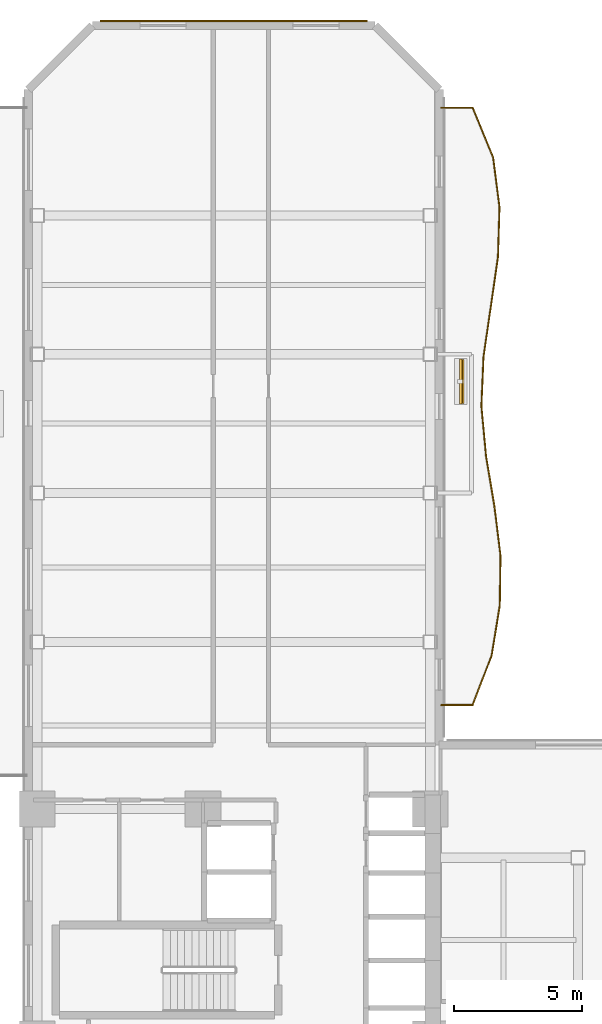
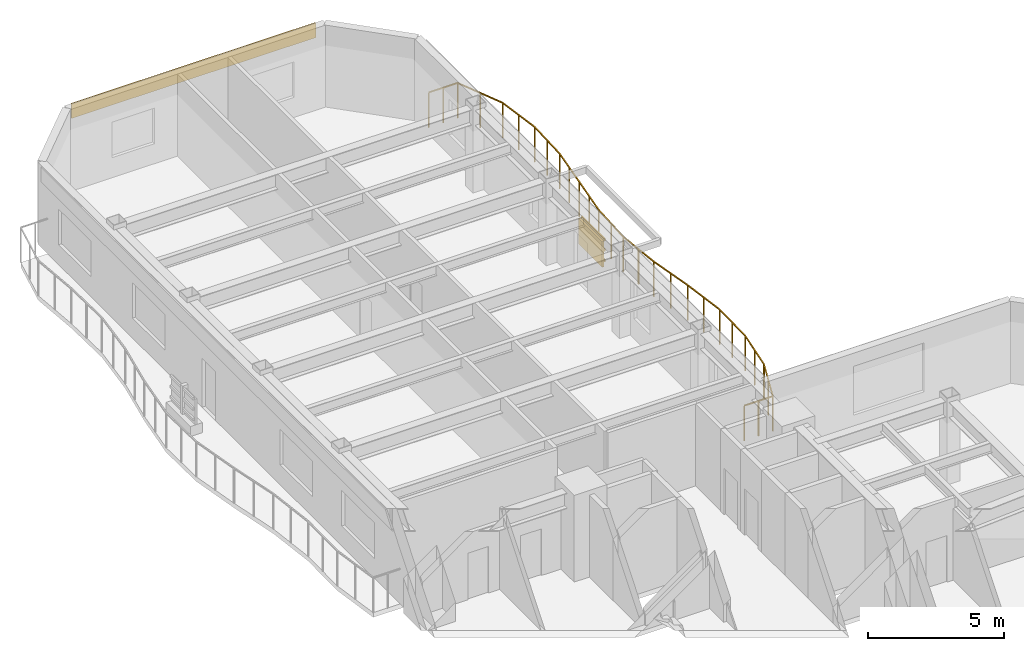
# One storey, part 17 of 17: 4 shading devices, 1 covering, 1 railing.
"""IFC4 building model written with IfcOpenShell, lengths in metres."""

from ifc_helpers import new_model, si_unit, direction, frame, origin, origin_2d, place, context, subcontext, project, spatial, rectangle, extrude, material, layer, layer_set, material_profile, profile_set, type_object, element, save


model = new_model("IFC4")

# Units and contexts
model_context = context("Model", 3, precision=1e-05, world=origin(), true_north=direction((0.0, 1.0)))
body_context = subcontext(model_context, "Body", "Model", "MODEL_VIEW")
ifc_project = project(units=[si_unit("LENGTHUNIT", "METRE"), si_unit("AREAUNIT", "SQUARE_METRE"), si_unit("VOLUMEUNIT", "CUBIC_METRE"), si_unit("PLANEANGLEUNIT", "RADIAN"), si_unit("MASSUNIT", "GRAM", prefix="KILO")], contexts=[model_context])

# Site, building, storey
site_placement = place(None, origin())
site = spatial("IfcSite", under=ifc_project, at=site_placement, CompositionType="ELEMENT")
building_placement = place(site_placement, origin())
building = spatial("IfcBuilding", under=site, at=building_placement, Name="Mawjaban Terraces University", CompositionType="ELEMENT")
storey_placement = place(building_placement, frame((0.0, 0.0, 70.0)))
storey = spatial("IfcBuildingStorey", under=building, at=storey_placement, Name="L16", CompositionType="ELEMENT", Elevation=70.0)

# Railing
ifc_material_1 = material(Name="Galvanised powder-coated steel S355", Category="steel")
railing_type = type_object("IfcRailingType", Name="BalconyBalustrade_1600", PredefinedType="BALUSTRADE", material=ifc_material_1)
railing_placement = place(storey_placement, frame((38.080078125, 27.5419921875, 0.0)))
element("IfcRailing", 1, at=railing_placement, inside=storey, type_object=railing_type, Name="L16 Balcony Guardrail inner_east", PredefinedType="BALUSTRADE", context=body_context, shape_type="SweptSolid", body=[
    extrude(rectangle(XDim=0.048095703125, YDim=0.048095703125, at=origin_2d()), frame((0.0, 0.0, 1.576171875), z_axis=(1.0, 0.0, 0.0), x_axis=(0.0, 1.0, 0.0)), (0.0, 0.0, 1.0), 1.219970703125),
    extrude(rectangle(XDim=0.048095703125, YDim=0.048095703125, at=origin_2d()), frame((1.219970703125, 0.0, 1.576171875), z_axis=(0.357946267504, 0.93374218582, 0.0), x_axis=(-0.93374218582, 0.357946267504, 0.0)), (0.0, 0.0, 1.0), 2.075439453125),
    extrude(rectangle(XDim=0.048095703125, YDim=0.048095703125, at=origin_2d()), frame((1.962890625, 1.93798828125, 1.576171875), z_axis=(0.160889680104, 0.986972396187, 0.0), x_axis=(-0.986972396187, 0.160889680104, 0.0)), (0.0, 0.0, 1.0), 1.963623046875),
    extrude(rectangle(XDim=0.048095703125, YDim=0.048095703125, at=origin_2d()), frame((2.27880859375, 3.8759765625, 1.576171875), z_axis=(0.014485756328, 0.999895075927, 0.0), x_axis=(-0.999895075927, 0.014485756328, 0.0)), (0.0, 0.0, 1.0), 1.938232421875),
    extrude(rectangle(XDim=0.048095703125, YDim=0.048095703125, at=origin_2d()), frame((2.306884765625, 5.81396484375, 1.576171875), z_axis=(-0.121850262148, 0.992548494339, 0.0), x_axis=(-0.992548494339, -0.121850262148, 0.0)), (0.0, 0.0, 1.0), 1.95361328125),
    extrude(rectangle(XDim=0.048095703125, YDim=0.048095703125, at=origin_2d()), frame((2.06884765625, 7.7529296875, 1.576171875), z_axis=(-0.164882543309, 0.986313209337, 0.0), x_axis=(-0.986313209337, -0.164882543309, 0.0)), (0.0, 0.0, 1.0), 1.96484375),
    extrude(rectangle(XDim=0.048095703125, YDim=0.048095703125, at=origin_2d()), frame((1.744873046875, 9.69091796875, 1.576171875), z_axis=(-0.093441728266, 0.995624750304, 0.0), x_axis=(-0.995624750304, -0.093441728266, 0.0)), (0.0, 0.0, 1.0), 1.946533203125),
    extrude(rectangle(XDim=0.048095703125, YDim=0.048095703125, at=origin_2d()), frame((1.56298828125, 11.62890625, 1.576171875), z_axis=(0.042290174408, 0.999105370393, 0.0), x_axis=(-0.999105370393, 0.042290174408, 0.0)), (0.0, 0.0, 1.0), 1.939697265625),
    extrude(rectangle(XDim=0.048095703125, YDim=0.048095703125, at=origin_2d()), frame((1.64501953125, 13.56689453125, 1.576171875), z_axis=(0.144945003945, 0.989439713086, 0.0), x_axis=(-0.989439713086, 0.144945003945, 0.0)), (0.0, 0.0, 1.0), 1.958984375),
    extrude(rectangle(XDim=0.048095703125, YDim=0.048095703125, at=origin_2d()), frame((1.928955078125, 15.505126953125, 1.576171875), z_axis=(0.142450713627, 0.989801896435, 0.0), x_axis=(-0.989801896435, 0.142450713627, 0.0)), (0.0, 0.0, 1.0), 1.958984375),
    extrude(rectangle(XDim=0.048095703125, YDim=0.048095703125, at=origin_2d()), frame((2.2080078125, 17.444091796875, 1.576171875), z_axis=(0.030849507428, 0.999524040677, 0.0), x_axis=(-0.999524040677, 0.030849507428, 0.0)), (0.0, 0.0, 1.0), 1.93896484375),
    extrude(rectangle(XDim=0.048095703125, YDim=0.048095703125, at=origin_2d()), frame((2.267822265625, 19.382080078125, 1.576171875), z_axis=(-0.126833321293, 0.99192404377, 0.0), x_axis=(-0.99192404377, -0.126833321293, 0.0)), (0.0, 0.0, 1.0), 1.953857421875),
    extrude(rectangle(XDim=0.048095703125, YDim=0.048095703125, at=origin_2d()), frame((2.02001953125, 21.320068359375, 1.576171875), z_axis=(-0.381587150517, 0.924332865671, 0.0), x_axis=(-0.924332865671, -0.381587150517, 0.0)), (0.0, 0.0, 1.0), 2.0966796875),
    extrude(rectangle(XDim=0.048095703125, YDim=0.048095703125, at=origin_2d()), frame((1.219970703125, 23.258056640625, 1.576171875), z_axis=(-1.0, 0.0, 0.0), x_axis=(0.0, -1.0, 0.0)), (0.0, 0.0, 1.0), 1.219970703125),
    extrude(rectangle(XDim=0.0419921875, YDim=0.0419921875, at=origin_2d()), origin(), (0.0, 0.0, 1.0), 1.552001953125),
    extrude(rectangle(XDim=0.0419921875, YDim=0.0419921875, at=origin_2d()), frame((0.60986328125, 0.0, 0.0)), (0.0, 0.0, 1.0), 1.552001953125),
    extrude(rectangle(XDim=0.0419921875, YDim=0.0419921875, at=origin_2d()), frame((1.219970703125, 0.0, 0.0)), (0.0, 0.0, 1.0), 1.552001953125),
    extrude(rectangle(XDim=0.0419921875, YDim=0.0419921875, at=origin_2d()), frame((1.59130859375, 0.968994140625, 0.0)), (0.0, 0.0, 1.0), 1.552001953125),
    extrude(rectangle(XDim=0.0419921875, YDim=0.0419921875, at=origin_2d()), frame((1.962890625, 1.93798828125, 0.0)), (0.0, 0.0, 1.0), 1.552001953125),
    extrude(rectangle(XDim=0.0419921875, YDim=0.0419921875, at=origin_2d()), frame((2.120849609375, 2.906982421875, 0.0)), (0.0, 0.0, 1.0), 1.552001953125),
    extrude(rectangle(XDim=0.0419921875, YDim=0.0419921875, at=origin_2d()), frame((2.27880859375, 3.8759765625, 0.0)), (0.0, 0.0, 1.0), 1.552001953125),
    extrude(rectangle(XDim=0.0419921875, YDim=0.0419921875, at=origin_2d()), frame((2.29296875, 4.844970703125, 0.0)), (0.0, 0.0, 1.0), 1.552001953125),
    extrude(rectangle(XDim=0.0419921875, YDim=0.0419921875, at=origin_2d()), frame((2.306884765625, 5.81396484375, 0.0)), (0.0, 0.0, 1.0), 1.552001953125),
    extrude(rectangle(XDim=0.0419921875, YDim=0.0419921875, at=origin_2d()), frame((2.18798828125, 6.783447265625, 0.0)), (0.0, 0.0, 1.0), 1.552001953125),
    extrude(rectangle(XDim=0.0419921875, YDim=0.0419921875, at=origin_2d()), frame((2.06884765625, 7.7529296875, 0.0)), (0.0, 0.0, 1.0), 1.552001953125),
    extrude(rectangle(XDim=0.0419921875, YDim=0.0419921875, at=origin_2d()), frame((1.90673828125, 8.721923828125, 0.0)), (0.0, 0.0, 1.0), 1.552001953125),
    extrude(rectangle(XDim=0.0419921875, YDim=0.0419921875, at=origin_2d()), frame((1.744873046875, 9.69091796875, 0.0)), (0.0, 0.0, 1.0), 1.552001953125),
    extrude(rectangle(XDim=0.0419921875, YDim=0.0419921875, at=origin_2d()), frame((1.65380859375, 10.659912109375, 0.0)), (0.0, 0.0, 1.0), 1.552001953125),
    extrude(rectangle(XDim=0.0419921875, YDim=0.0419921875, at=origin_2d()), frame((1.56298828125, 11.62890625, 0.0)), (0.0, 0.0, 1.0), 1.552001953125),
    extrude(rectangle(XDim=0.0419921875, YDim=0.0419921875, at=origin_2d()), frame((1.60400390625, 12.597900390625, 0.0)), (0.0, 0.0, 1.0), 1.552001953125),
    extrude(rectangle(XDim=0.0419921875, YDim=0.0419921875, at=origin_2d()), frame((1.64501953125, 13.56689453125, 0.0)), (0.0, 0.0, 1.0), 1.552001953125),
    extrude(rectangle(XDim=0.0419921875, YDim=0.0419921875, at=origin_2d()), frame((1.787109375, 14.5361328125, 0.0)), (0.0, 0.0, 1.0), 1.552001953125),
    extrude(rectangle(XDim=0.0419921875, YDim=0.0419921875, at=origin_2d()), frame((1.928955078125, 15.505126953125, 0.0)), (0.0, 0.0, 1.0), 1.552001953125),
    extrude(rectangle(XDim=0.0419921875, YDim=0.0419921875, at=origin_2d()), frame((2.068359375, 16.474609375, 0.0)), (0.0, 0.0, 1.0), 1.552001953125),
    extrude(rectangle(XDim=0.0419921875, YDim=0.0419921875, at=origin_2d()), frame((2.2080078125, 17.444091796875, 0.0)), (0.0, 0.0, 1.0), 1.552001953125),
    extrude(rectangle(XDim=0.0419921875, YDim=0.0419921875, at=origin_2d()), frame((2.23779296875, 18.4130859375, 0.0)), (0.0, 0.0, 1.0), 1.552001953125),
    extrude(rectangle(XDim=0.0419921875, YDim=0.0419921875, at=origin_2d()), frame((2.267822265625, 19.382080078125, 0.0)), (0.0, 0.0, 1.0), 1.552001953125),
    extrude(rectangle(XDim=0.0419921875, YDim=0.0419921875, at=origin_2d()), frame((2.14404296875, 20.35107421875, 0.0)), (0.0, 0.0, 1.0), 1.552001953125),
    extrude(rectangle(XDim=0.0419921875, YDim=0.0419921875, at=origin_2d()), frame((2.02001953125, 21.320068359375, 0.0)), (0.0, 0.0, 1.0), 1.552001953125),
    extrude(rectangle(XDim=0.0419921875, YDim=0.0419921875, at=origin_2d()), frame((1.6201171875, 22.2890625, 0.0)), (0.0, 0.0, 1.0), 1.552001953125),
    extrude(rectangle(XDim=0.0419921875, YDim=0.0419921875, at=origin_2d()), frame((1.219970703125, 23.258056640625, 0.0)), (0.0, 0.0, 1.0), 1.552001953125),
    extrude(rectangle(XDim=0.0419921875, YDim=0.0419921875, at=origin_2d()), frame((0.60986328125, 23.258056640625, 0.0)), (0.0, 0.0, 1.0), 1.552001953125),
    extrude(rectangle(XDim=0.0419921875, YDim=0.0419921875, at=origin_2d()), frame((0.0, 23.258056640625, 0.0)), (0.0, 0.0, 1.0), 1.552001953125),
])

# Shading devices
ifc_material_2 = material(Name="Glazed architectural terracotta ceramic", Category="masonry")
ifc_material_profile = material_profile(ifc_material_2, rectangle(XDim=0.06494140625, YDim=0.110107421875, at=origin_2d()), Name="TBAG110X65")
ifc_profile_set = profile_set([ifc_material_profile], Name="Glazed architectural terracotta ceramic")
shading_device_type_1 = type_object("IfcShadingDeviceType", Name="TerracottaBaguette_110x65", PredefinedType="USERDEFINED", material=ifc_profile_set)
for number, where, z_axis, x_axis, name in (
    (2, (38.922119140625, 39.2900390625, 0.679931640625), (0.0, 1.0, 0.0), (-1.0, 0.0, 0.0), "L16 Horizontal Terracotta Baguette inner_east.1"),
    (3, (38.922119140625, 39.2900390625, 1.14990234375), (0.0, 1.0, 0.0), (-1.0, 0.0, 0.0), "L16 Horizontal Terracotta Baguette inner_east.2"),
    (4, (38.922119140625, 39.2900390625, 1.6201171875), (0.0, 1.0, 0.0), (-1.0, 0.0, 0.0), "L16 Horizontal Terracotta Baguette inner_east.3"),
):
    element("IfcShadingDevice", number, at=place(storey_placement, frame(where, z_axis=z_axis, x_axis=x_axis)), inside=storey, type_object=shading_device_type_1, Name=name, ObjectType="BAGUETTE", PredefinedType="USERDEFINED", context=body_context, shape_type="SweptSolid", body=[
        extrude(rectangle(XDim=0.06494140625, YDim=0.110107421875, at=origin_2d()), origin(), (0.0, 0.0, 1.0), 1.699951171875),
    ])
ifc_layer_1 = layer(ifc_material_2, 0.080078125)
ifc_layer_set_1 = layer_set([ifc_layer_1], Name="Glazed architectural terracotta ceramic")
shading_device_type_2 = type_object("IfcShadingDeviceType", Name="TerracottaScreen_Perforated", PredefinedType="USERDEFINED", material=ifc_layer_set_1)
shading_device_placement = place(storey_placement, frame((38.8369140625, 40.139892578125, 0.43994140625), z_axis=(0.0, 0.0, 1.0), x_axis=(0.0, 1.0, 0.0)))
element("IfcShadingDevice", 5, at=shading_device_placement, inside=storey, type_object=shading_device_type_2, Name="L16 Balcony Perforated Terracotta Screen inner_east", ObjectType="SCREEN", PredefinedType="USERDEFINED", context=body_context, shape_type="SweptSolid", body=[
    extrude(rectangle(XDim=1.75, YDim=0.080078125, at=origin_2d()), origin(), (0.0, 0.0, 1.0), 1.14990234375),
])

# Covering
ifc_material_3 = material(Name="Glazed architectural terracotta rainscreen", Category="masonry")
ifc_layer_2 = layer(ifc_material_3, 0.06005859375)
ifc_layer_set_2 = layer_set([ifc_layer_2], Name="Glazed architectural terracotta rainscreen")
covering_type = type_object("IfcCoveringType", Name="TerracottaSpandrelCladding_60", PredefinedType="CLADDING", material=ifc_layer_set_2)
covering_placement = place(storey_placement, frame((30.0, 54.18505859375, 3.01513671875), z_axis=(0.0, 0.0, 1.0), x_axis=(-1.0, 0.0, 0.0)))
element("IfcCovering", 6, at=covering_placement, inside=storey, type_object=covering_type, Name="L16 Terracotta Spandrel Cladding 11", PredefinedType="CLADDING", context=body_context, shape_type="SweptSolid", body=[
    extrude(rectangle(XDim=10.39990234375, YDim=0.06005859375, at=origin_2d()), origin(), (0.0, 0.0, 1.0), 0.64990234375),
])

save(model, "model.ifc")
